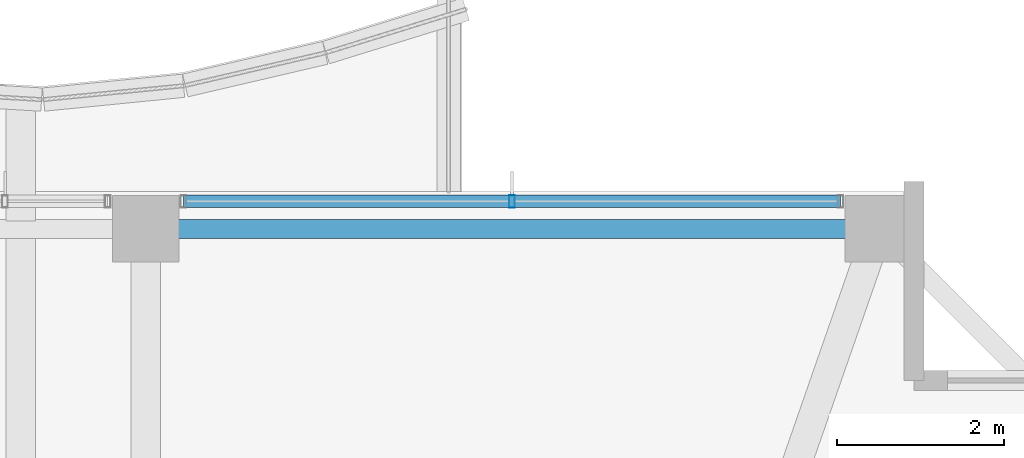
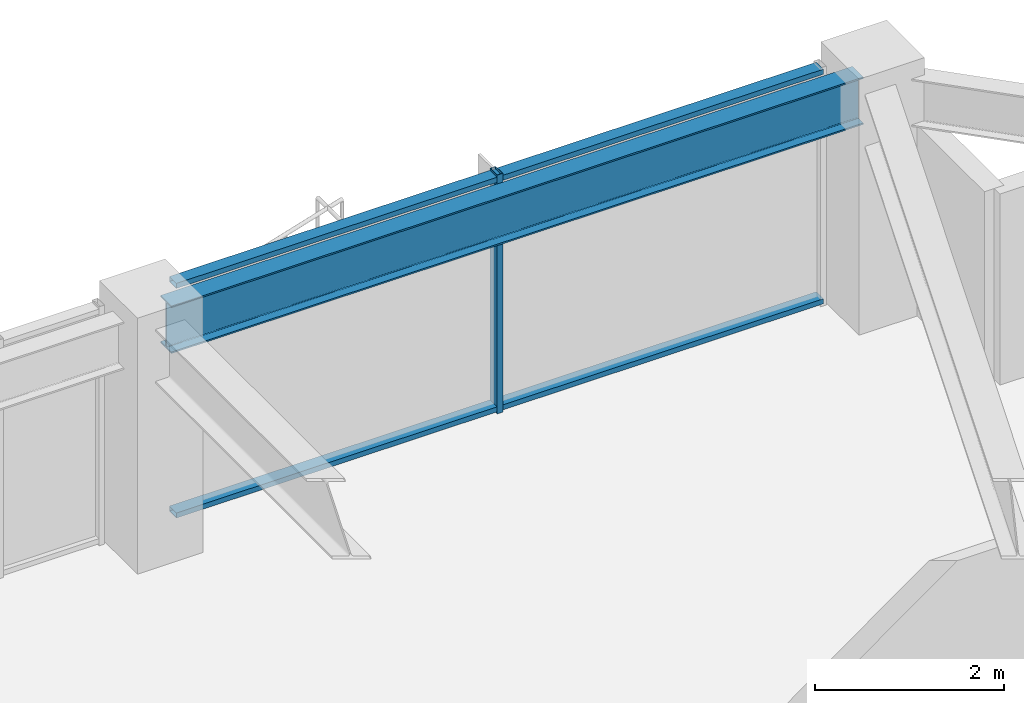
# One storey, part 19 of 36: 3 members, 1 beam, 1 element without a shape of its own.
"""IFC4 building model written with IfcOpenShell, lengths in metres."""

from ifc_helpers import new_model, si_unit, direction, frame, origin, origin_2d, place, context, subcontext, project, spatial, hollow_rectangle, i_section, extrude, material, material_profile, profile_set, type_object, element, aggregate, save


model = new_model("IFC4")

# Units and contexts
model_context = context("Model", 3, precision=1e-05, world=origin(), true_north=direction((0.0, 1.0)))
body_context = subcontext(model_context, "Body", "Model", "MODEL_VIEW")
ifc_project = project(units=[si_unit("LENGTHUNIT", "METRE"), si_unit("AREAUNIT", "SQUARE_METRE"), si_unit("VOLUMEUNIT", "CUBIC_METRE"), si_unit("PLANEANGLEUNIT", "RADIAN"), si_unit("MASSUNIT", "GRAM", prefix="KILO")], contexts=[model_context])

# Site, building, storey
site_placement = place(None, origin())
site = spatial("IfcSite", under=ifc_project, at=site_placement, CompositionType="ELEMENT")
building_placement = place(site_placement, origin())
building = spatial("IfcBuilding", under=site, at=building_placement, Name="Kolvaren Belvedere", CompositionType="ELEMENT")
storey_placement = place(building_placement, frame((0.0, 0.0, 199.800048828125)))
storey = spatial("IfcBuildingStorey", under=building, at=storey_placement, Name="L58", CompositionType="ELEMENT", Elevation=199.800048828125)

# Beam
ifc_material_1 = material(Name="Structural steel ASTM A992 Grade 50", Category="steel")
ifc_material_profile_1 = material_profile(ifc_material_1, i_section(OverallWidth=0.22900390625, OverallDepth=0.612060546875, WebThickness=0.011962890625, FlangeThickness=0.01953125, FilletRadius=0.01806640625, at=origin_2d()), Name="W24X84")
ifc_profile_set_1 = profile_set([ifc_material_profile_1], Name="Structural steel ASTM A992 Grade 50")
beam_type = type_object("IfcBeamType", Name="BM-SPAN-W24X84", PredefinedType="SPANDREL", material=ifc_profile_set_1)
beam_placement = place(storey_placement, frame((13.219970703125, 19.949951171875, 2.77392578125), z_axis=(-1.0, 0.0, 0.0), x_axis=(0.0, -1.0, 0.0)))
element("IfcBeam", 1, at=beam_placement, inside=storey, type_object=beam_type, Name="L58 Perimeter Spandrel N4-N3", PredefinedType="SPANDREL", context=body_context, shape_type="SweptSolid", body=[
    extrude(i_section(OverallWidth=0.22900390625, OverallDepth=0.612060546875, WebThickness=0.011962890625, FlangeThickness=0.01953125, FilletRadius=0.01806640625, at=origin_2d()), origin(), (0.0, 0.0, 1.0), 8.43994140625),
])

# Curtain wall, members
ifc_material_2 = material(Name="Anodised pale-metal aluminium AA 6063-T6", Category="aluminium")
curtain_wall_type = type_object("IfcCurtainWallType", Name="CW-Z5-HIGH", PredefinedType="NOTDEFINED", material=ifc_material_2)
curtain_wall_placement = place(storey_placement, origin())
curtain_wall = element("IfcCurtainWall", 2, at=curtain_wall_placement, inside=storey, type_object=curtain_wall_type, Name="L58 Unitised Curtain Wall FCW-L58-N2-B2", PredefinedType="NOTDEFINED")
ifc_material_3 = material(Name="Anodised pale-metal aluminium AA 6063-T6", Category="aluminium")
ifc_material_profile_2 = material_profile(ifc_material_3, hollow_rectangle(XDim=0.070068359375, YDim=0.14990234375, WallThickness=0.004150390625, at=origin_2d()), Name="ALU-MUL-150X70")
ifc_profile_set_2 = profile_set([ifc_material_profile_2], Name="Anodised pale-metal aluminium AA 6063-T6")
member_type_1 = type_object("IfcMemberType", Name="CW-MUL-150", PredefinedType="MULLION", material=ifc_profile_set_2)
member_1_placement = place(storey_placement, frame((9.0, 20.280029296875, 0.0), z_axis=(0.0, 0.0, 1.0), x_axis=(1.0, 0.0, 0.0)))
member_1 = element("IfcMember", 3, at=member_1_placement, type_object=member_type_1, Name="FCW-L58-N2-B2 Unitised Mullion 2", PredefinedType="MULLION", context=body_context, shape_type="SweptSolid", body=[
    extrude(hollow_rectangle(XDim=0.070068359375, YDim=0.14990234375, WallThickness=0.004150390625, at=origin_2d()), origin(), (0.0, 0.0, 1.0), 3.079833984375),
])
ifc_material_4 = material(Name="Anodised pale-metal aluminium AA 6063-T6", Category="aluminium")
ifc_material_profile_3 = material_profile(ifc_material_4, hollow_rectangle(XDim=0.06494140625, YDim=0.14990234375, WallThickness=0.00390625, at=origin_2d()), Name="ALU-TRN-150X65")
ifc_profile_set_3 = profile_set([ifc_material_profile_3], Name="Anodised pale-metal aluminium AA 6063-T6")
member_type_2 = type_object("IfcMemberType", Name="CW-TRN-150", PredefinedType="USERDEFINED", material=ifc_profile_set_3)
member_2_placement = place(storey_placement, frame((5.054931640625, 20.280029296875, 0.06005859375), z_axis=(1.0, 0.0, 0.0), x_axis=(0.0, 0.0, 1.0)))
member_2 = element("IfcMember", 4, at=member_2_placement, type_object=member_type_2, Name="FCW-L58-N2-B2 Sill Transom", ObjectType="TRANSOM", PredefinedType="USERDEFINED", context=body_context, shape_type="SweptSolid", body=[
    extrude(hollow_rectangle(XDim=0.06494140625, YDim=0.14990234375, WallThickness=0.00390625, at=origin_2d()), origin(), (0.0, 0.0, 1.0), 7.89013671875),
])
member_3_placement = place(storey_placement, frame((5.054931640625, 20.280029296875, 3.02001953125), z_axis=(1.0, 0.0, 0.0), x_axis=(0.0, 0.0, 1.0)))
member_3 = element("IfcMember", 5, at=member_3_placement, type_object=member_type_2, Name="FCW-L58-N2-B2 Head Transom", ObjectType="TRANSOM", PredefinedType="USERDEFINED", context=body_context, shape_type="SweptSolid", body=[
    extrude(hollow_rectangle(XDim=0.06494140625, YDim=0.14990234375, WallThickness=0.00390625, at=origin_2d()), origin(), (0.0, 0.0, 1.0), 7.89013671875),
])
aggregate(curtain_wall, [member_1, member_2, member_3])

save(model, "model.ifc")
